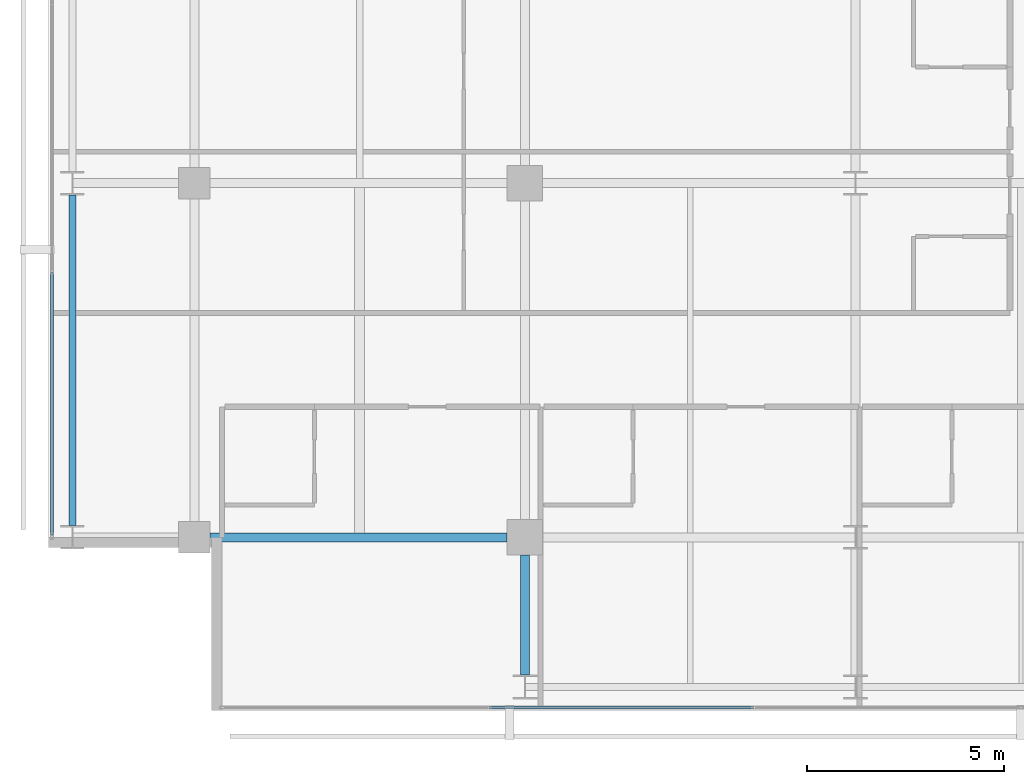
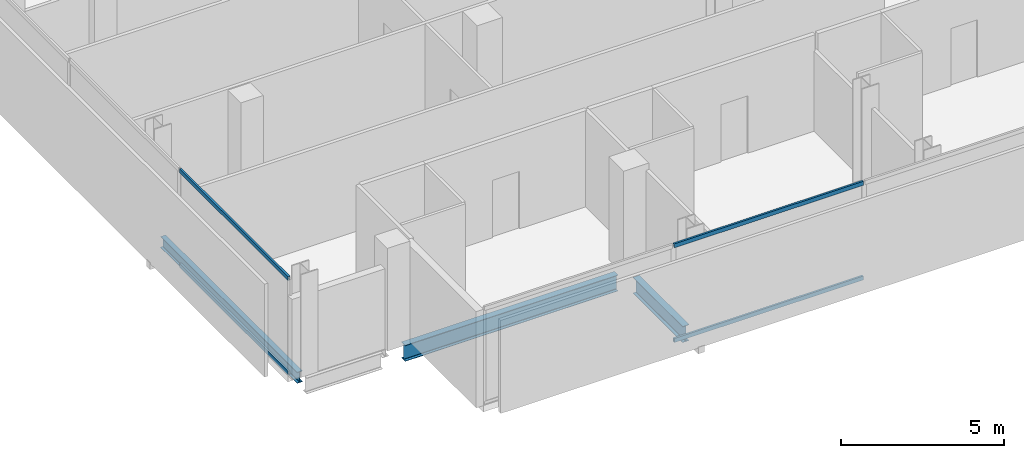
# One storey, part 3 of 34: 4 members, 3 beams, 2 elements without a shape of their own.
"""IFC4 building model written with IfcOpenShell, lengths in metres."""

from ifc_helpers import new_model, si_unit, direction, frame, origin, origin_2d, place, context, subcontext, project, spatial, hollow_rectangle, i_section, extrude, material, layer, layer_set, material_profile, profile_set, type_object, element, aggregate, save


model = new_model("IFC4")

# Units and contexts
model_context = context("Model", 3, precision=1e-05, world=origin(), true_north=direction((0.0, 1.0)))
body_context = subcontext(model_context, "Body", "Model", "MODEL_VIEW")
ifc_project = project(units=[si_unit("LENGTHUNIT", "METRE"), si_unit("AREAUNIT", "SQUARE_METRE"), si_unit("VOLUMEUNIT", "CUBIC_METRE"), si_unit("PLANEANGLEUNIT", "RADIAN"), si_unit("MASSUNIT", "GRAM", prefix="KILO")], contexts=[model_context])

# Site, building, storey
site_placement = place(None, origin())
site = spatial("IfcSite", under=ifc_project, at=site_placement, CompositionType="ELEMENT")
building_placement = place(site_placement, origin())
building = spatial("IfcBuilding", under=site, at=building_placement, Name="Maruvema Waterfront Hotel and Observation Tower", CompositionType="ELEMENT")
storey_placement = place(building_placement, frame((0.0, 0.0, 173.60009765625)))
storey = spatial("IfcBuildingStorey", under=building, at=storey_placement, Name="L42", CompositionType="ELEMENT", Elevation=173.60009765625)

# Curtain wall, members
ifc_material_1 = material(Name="Anodised bronze aluminium and solar-control low-E IGU", Category="aluminium")
ifc_layer = layer(ifc_material_1, 0.159912109375, Name="Zone 2 Amber Inner Thermal Curtain Wall System CW-03")
ifc_layer_set = layer_set([ifc_layer], Name="Anodised bronze aluminium and solar-control low-E IGU")
curtain_wall_type = type_object("IfcCurtainWallType", Name="Zone 2 Amber Inner Thermal Curtain Wall System CW-03", PredefinedType="USERDEFINED", material=ifc_layer_set)
curtain_wall_1_placement = place(storey_placement, origin())
curtain_wall_1 = element("IfcCurtainWall", 1, at=curtain_wall_1_placement, inside=storey, type_object=curtain_wall_type, Name="L42 Curtain Wall CW-L42-S", ObjectType="UNITISED CURTAIN WALL", PredefinedType="USERDEFINED")
ifc_material_2 = material(Name="Anodised architectural bronze aluminium", Category="aluminium")
ifc_material_profile_1 = material_profile(ifc_material_2, hollow_rectangle(XDim=0.070068359375, YDim=0.14990234375, WallThickness=0.00390625, at=origin_2d()), Name="ALU-T70x150")
ifc_profile_set_1 = profile_set([ifc_material_profile_1], Name="Anodised architectural bronze aluminium")
member_type = type_object("IfcMemberType", Name="Curtain Wall Horizontal Transom ALU-T70x150", PredefinedType="USERDEFINED", material=ifc_profile_set_1)
member_1_placement = place(storey_placement, frame((24.296630859375, 4.679931640625, 0.02978515625), z_axis=(1.0, 0.0, 0.0), x_axis=(0.0, 1.0, 0.0)))
member_1 = element("IfcMember", 2, at=member_1_placement, type_object=member_type, Name="CW-03 transom 2.1", ObjectType="TRANSOM", PredefinedType="USERDEFINED", context=body_context, shape_type="SweptSolid", body=[
    extrude(hollow_rectangle(XDim=0.070068359375, YDim=0.14990234375, WallThickness=0.00390625, at=origin_2d()), origin(), (0.0, 0.0, 1.0), 6.706787109375),
])
member_2_placement = place(storey_placement, frame((24.296630859375, 4.679931640625, 3.579833984375), z_axis=(1.0, 0.0, 0.0), x_axis=(0.0, 1.0, 0.0)))
member_2 = element("IfcMember", 3, at=member_2_placement, type_object=member_type, Name="CW-03 transom 2.2", ObjectType="TRANSOM", PredefinedType="USERDEFINED", context=body_context, shape_type="SweptSolid", body=[
    extrude(hollow_rectangle(XDim=0.070068359375, YDim=0.14990234375, WallThickness=0.00390625, at=origin_2d()), origin(), (0.0, 0.0, 1.0), 6.706787109375),
])
aggregate(curtain_wall_1, [member_1, member_2])

curtain_wall_2_placement = place(storey_placement, origin())
curtain_wall_2 = element("IfcCurtainWall", 4, at=curtain_wall_2_placement, inside=storey, type_object=curtain_wall_type, Name="L42 Curtain Wall CW-L42-W", ObjectType="UNITISED CURTAIN WALL", PredefinedType="USERDEFINED")
member_3_placement = place(storey_placement, frame((13.179931640625, 15.736572265625, 0.02978515625), z_axis=(0.0, -1.0, 0.0), x_axis=(1.0, 0.0, 0.0)))
member_3 = element("IfcMember", 5, at=member_3_placement, type_object=member_type, Name="CW-03 transom 6.1", ObjectType="TRANSOM", PredefinedType="USERDEFINED", context=body_context, shape_type="SweptSolid", body=[
    extrude(hollow_rectangle(XDim=0.070068359375, YDim=0.14990234375, WallThickness=0.00390625, at=origin_2d()), origin(), (0.0, 0.0, 1.0), 6.676513671875),
])
member_4_placement = place(storey_placement, frame((13.179931640625, 15.736572265625, 3.579833984375), z_axis=(0.0, -1.0, 0.0), x_axis=(1.0, 0.0, 0.0)))
member_4 = element("IfcMember", 6, at=member_4_placement, type_object=member_type, Name="CW-03 transom 6.2", ObjectType="TRANSOM", PredefinedType="USERDEFINED", context=body_context, shape_type="SweptSolid", body=[
    extrude(hollow_rectangle(XDim=0.070068359375, YDim=0.14990234375, WallThickness=0.00390625, at=origin_2d()), origin(), (0.0, 0.0, 1.0), 6.676513671875),
])
aggregate(curtain_wall_2, [member_3, member_4])

# Beams
ifc_material_3 = material(Name="Steel ASTM A572 Grade 50", Category="steel")
ifc_material_profile_2 = material_profile(ifc_material_3, i_section(OverallWidth=0.180908203125, OverallDepth=0.4169921875, WebThickness=0.010986328125, FlangeThickness=0.018310546875, FilletRadius=0.014892578125, at=origin_2d()), Name="W410x85.0")
ifc_profile_set_2 = profile_set([ifc_material_profile_2], Name="Steel ASTM A572 Grade 50")
beam_type_1 = type_object("IfcBeamType", Name="Perimeter Spandrel Beam W410x85.0", PredefinedType="SPANDREL", material=ifc_profile_set_2)
beam_1_placement = place(storey_placement, frame((13.699951171875, 9.300048828125, -0.448486328125), z_axis=(0.0, 1.0, 0.0), x_axis=(-1.0, 0.0, 0.0)))
element("IfcBeam", 7, at=beam_1_placement, inside=storey, type_object=beam_type_1, Name="L42 Floor Girder NS-01", PredefinedType="SPANDREL", context=body_context, shape_type="SweptSolid", body=[
    extrude(i_section(OverallWidth=0.180908203125, OverallDepth=0.4169921875, WebThickness=0.010986328125, FlangeThickness=0.018310546875, FilletRadius=0.014892578125, at=origin_2d()), origin(), (0.0, 0.0, 1.0), 8.39990234375),
])
ifc_material_4 = material(Name="Steel ASTM A572 Grade 50", Category="steel")
ifc_material_profile_3 = material_profile(ifc_material_4, i_section(OverallWidth=0.22802734375, OverallDepth=0.60302734375, WebThickness=0.010498046875, FlangeThickness=0.014892578125, FilletRadius=0.01806640625, at=origin_2d()), Name="W610x101.0")
ifc_profile_set_3 = profile_set([ifc_material_profile_3], Name="Steel ASTM A572 Grade 50")
beam_type_2 = type_object("IfcBeamType", Name="Primary Floor Girder W610x101.0", PredefinedType="BEAM", material=ifc_profile_set_3)
beam_2_placement = place(storey_placement, frame((17.199951171875, 9.0, -0.54150390625), z_axis=(1.0, 0.0, 0.0), x_axis=(0.0, 1.0, 0.0)))
element("IfcBeam", 8, at=beam_2_placement, inside=storey, type_object=beam_type_2, Name="L42 Floor Girder EW-05", PredefinedType="BEAM", context=body_context, shape_type="SweptSolid", body=[
    extrude(i_section(OverallWidth=0.22802734375, OverallDepth=0.60302734375, WebThickness=0.010498046875, FlangeThickness=0.014892578125, FilletRadius=0.01806640625, at=origin_2d()), origin(), (0.0, 0.0, 1.0), 7.550048828125),
])
beam_3_placement = place(storey_placement, frame((25.199951171875, 5.5, -0.54150390625), z_axis=(0.0, 1.0, 0.0), x_axis=(-1.0, 0.0, 0.0)))
element("IfcBeam", 9, at=beam_3_placement, inside=storey, type_object=beam_type_2, Name="L42 Floor Girder NS-09", PredefinedType="BEAM", context=body_context, shape_type="SweptSolid", body=[
    extrude(i_section(OverallWidth=0.22802734375, OverallDepth=0.60302734375, WebThickness=0.010498046875, FlangeThickness=0.014892578125, FilletRadius=0.01806640625, at=origin_2d()), origin(), (0.0, 0.0, 1.0), 3.050048828125),
])

save(model, "model.ifc")
